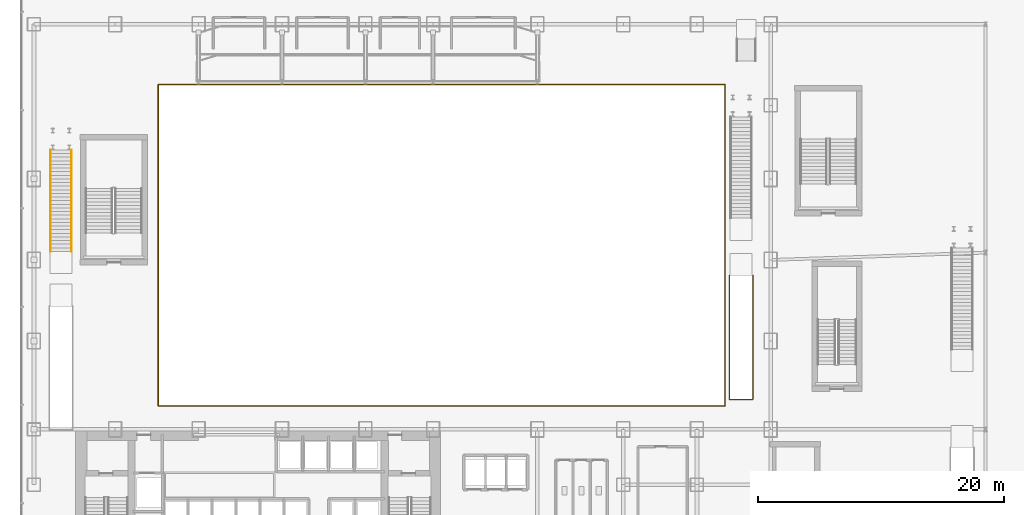
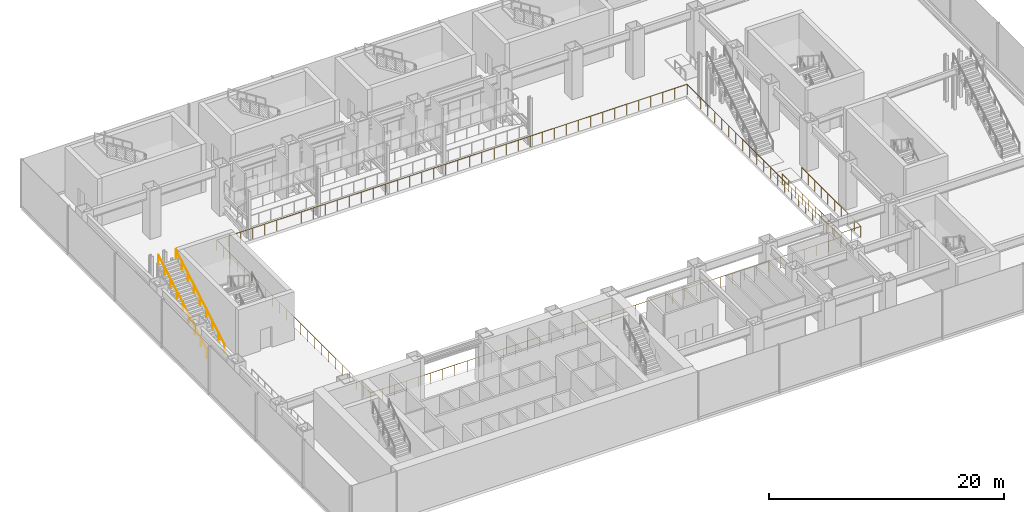
# One storey, part 35 of 40: 4 railings.
"""IFC4 building model written with IfcOpenShell, lengths in metres."""

import ifcopenshell
import ifcopenshell.guid

model = None  # the IFC model being written
_history = None  # IfcOwnerHistory: only IFC2X3 demands one
_inside = {}  # id of a spatial element -> (the spatial element, [elements in it])
_under = {}  # id of a project, library or spatial element -> (it, [spatial elements below it])
_declared = {}  # id of a project -> (the project, [libraries it declares])
_typed = {}  # id of a type object -> (the type object, [elements of that type])
_made_of = {}  # id of a material, layer set ... -> (it, [elements and type objects made of it])


def new_model(schema):
    """Start an empty IFC model of exactly this schema.

    Asked for "IFC4X3", IfcOpenShell would pick the latest addendum, in which some entities
    have other attributes; the version numbers below select the first issue.
    IFC2X3 requires an IfcOwnerHistory on every rooted entity: one is made here for all.
    """
    global model, _history
    if schema == "IFC4X3":
        model = ifcopenshell.file(schema_version=(4, 3, 0, 0))
    else:
        model = ifcopenshell.file(schema=schema)
    _inside.clear()
    _under.clear()
    _declared.clear()
    _typed.clear()
    _made_of.clear()
    _history = None
    if model.schema == "IFC2X3":
        org = make("IfcOrganization", Name="unknown")
        user = make(
            "IfcPersonAndOrganization",
            ThePerson=make("IfcPerson", FamilyName="unknown"),
            TheOrganization=org,
        )
        app = make(
            "IfcApplication",
            ApplicationDeveloper=org,
            Version="unknown",
            ApplicationFullName="unknown",
            ApplicationIdentifier="unknown",
        )
        _history = make(
            "IfcOwnerHistory",
            OwningUser=user,
            OwningApplication=app,
            ChangeAction="ADDED",
            CreationDate=0,
        )
    return model


def make(cls, **values):
    """One entity of the class cls with the attributes given. An attribute that is None is left unset."""
    return model.create_entity(
        cls, **{name: value for name, value in values.items() if value is not None}
    )


def rooted(cls, **values):
    """An entity with a GlobalId (a new one), such as an element, a storey or a relation."""
    return make(cls, GlobalId=ifcopenshell.guid.new(), OwnerHistory=_history, **values)


def si_unit(unit_type, name, prefix=None):
    """IfcSIUnit, for example si_unit("LENGTHUNIT", "METRE", prefix="MILLI")."""
    return make("IfcSIUnit", UnitType=unit_type, Prefix=prefix, Name=name)


def derived_unit(unit_type, elements):
    """IfcDerivedUnit: a product of units, each with its exponent."""
    return make(
        "IfcDerivedUnit",
        Elements=[
            make("IfcDerivedUnitElement", Unit=unit, Exponent=power)
            for unit, power in elements
        ],
        UnitType=unit_type,
    )


def assignment(units):
    """IfcUnitAssignment: the units of a project."""
    return None if units is None else make("IfcUnitAssignment", Units=units)


def point(xyz):
    """IfcCartesianPoint."""
    return None if xyz is None else make("IfcCartesianPoint", Coordinates=xyz)


def direction(xyz):
    """IfcDirection."""
    return None if xyz is None else make("IfcDirection", DirectionRatios=xyz)


def frame(location, z_axis=None, x_axis=None):
    """IfcAxis2Placement3D, a coordinate frame: its origin and axes. An axis left out is left unset."""
    return make(
        "IfcAxis2Placement3D",
        Location=point(location),
        Axis=direction(z_axis),
        RefDirection=direction(x_axis),
    )


def frame_2d(location, x_axis=None):
    """IfcAxis2Placement2D, a coordinate frame in the plane: its origin and x axis."""
    return make(
        "IfcAxis2Placement2D", Location=point(location), RefDirection=direction(x_axis)
    )


def origin():
    """The frame at (0, 0, 0) with its axes left unset."""
    return frame((0.0, 0.0, 0.0))


def origin_2d():
    """The frame at (0, 0) in the plane with its x axis left unset."""
    return frame_2d((0.0, 0.0))


def place(relative_to, where):
    """IfcLocalPlacement: puts the frame where relative to a parent placement (None: the world)."""
    return make(
        "IfcLocalPlacement", PlacementRelTo=relative_to, RelativePlacement=where
    )


def context(
    kind, dimensions, precision=None, world=None, true_north=None, identifier=None
):
    """IfcGeometricRepresentationContext, for example the 3D "Model" context."""
    return make(
        "IfcGeometricRepresentationContext",
        ContextIdentifier=identifier,
        ContextType=kind,
        CoordinateSpaceDimension=dimensions,
        Precision=precision,
        WorldCoordinateSystem=world,
        TrueNorth=true_north,
    )


def subcontext(parent, identifier, kind, view, scale=None):
    """IfcGeometricRepresentationSubContext, for example "Body" below "Model"."""
    return make(
        "IfcGeometricRepresentationSubContext",
        ContextIdentifier=identifier,
        ContextType=kind,
        ParentContext=parent,
        TargetScale=scale,
        TargetView=view,
    )


def project(units=None, contexts=None):
    """IfcProject with its units and contexts."""
    return rooted(
        "IfcProject",
        Name="project",
        RepresentationContexts=contexts,
        UnitsInContext=assignment(units),
    )


def spatial(cls, under=None, at=None, **own):
    """A site, building, storey or space (cls), placed at a placement, below another one or the project."""
    s = rooted(cls, ObjectPlacement=at, **own)
    if under is not None:
        _under.setdefault(under.id(), (under, []))[1].append(s)
    return s


def profile(cls, at=None, kind="AREA", **sizes):
    """A parametric profile (cls). Its sizes go by their IFC names, for example OverallWidth=200.0."""
    return make(cls, ProfileType=kind, Position=at, **sizes)


def circle(**sizes):
    """IfcCircleProfileDef."""
    return profile("IfcCircleProfileDef", **sizes)


def extrude(swept, where, along, depth):
    """IfcExtrudedAreaSolid: the profile swept, set in the frame where, extruded along a direction by depth."""
    return make(
        "IfcExtrudedAreaSolid",
        SweptArea=swept,
        Position=where,
        ExtrudedDirection=direction(along),
        Depth=depth,
    )


def shape(context_of_items, identifier, shape_type, items):
    """IfcShapeRepresentation: the items that make up one representation, for example the "Body"."""
    return make(
        "IfcShapeRepresentation",
        ContextOfItems=context_of_items,
        RepresentationIdentifier=identifier,
        RepresentationType=shape_type,
        Items=items,
    )


def material(Name=None, Category=None):
    """IfcMaterial."""
    return make("IfcMaterial", Name=Name, Category=Category)


def made_of(thing, what):
    """Note that an element or type object is made of a material, layer set ...; save() writes the relation."""
    if what is not None:
        _made_of.setdefault(what.id(), (what, []))[1].append(thing)
    return thing


def type_object(cls, material=None, **own):
    """A type object (cls), such as IfcWallType, which elements share."""
    return made_of(rooted(cls, **own), material)


def element(
    cls,
    number,
    at=None,
    inside=None,
    cuts=None,
    type_object=None,
    material=None,
    context=None,
    identifier="Body",
    shape_type=None,
    held_by="IfcProductDefinitionShape",
    body=None,
    shapes=None,
    **own,
):
    """One element of the class cls, such as IfcWall. Its Tag is "e" and its number.

    at: its placement. inside: the storey or other place that contains it. cuts: it is an
    opening in that element (IfcRelVoidsElement). A single representation is given by context,
    identifier, shape_type and body (its items); several are given by shapes. held_by: the class
    of the entity that holds the representations. save() writes the other relations.
    """
    e = rooted(cls, Tag="e%d" % number, ObjectPlacement=at, **own)
    if body is not None:
        shapes = [shape(context, identifier, shape_type, body)]
    if shapes is not None:
        e.Representation = make(held_by, Representations=shapes)
    if inside is not None:
        _inside.setdefault(inside.id(), (inside, []))[1].append(e)
    if cuts is not None:
        rooted(
            "IfcRelVoidsElement", RelatingBuildingElement=cuts, RelatedOpeningElement=e
        )
    if type_object is not None:
        _typed.setdefault(type_object.id(), (type_object, []))[1].append(e)
    return made_of(e, material)


def aggregate(whole, parts):
    """IfcRelAggregates: a whole, such as a stair, and the parts it consists of."""
    return rooted("IfcRelAggregates", RelatingObject=whole, RelatedObjects=parts)


def save(model, path):
    """Write the relations noted so far, then the file.

    IfcRelAggregates (storeys below a building ...), IfcRelContainedInSpatialStructure (elements
    in a storey), IfcRelDefinesByType, IfcRelAssociatesMaterial and IfcRelDeclares: one each for
    every whole, place, type object, material and project.
    """
    for whole, parts in _under.values():
        aggregate(whole, parts)
    for where, things in _inside.values():
        rooted(
            "IfcRelContainedInSpatialStructure",
            RelatedElements=things,
            RelatingStructure=where,
        )
    for kind, things in _typed.values():
        rooted("IfcRelDefinesByType", RelatedObjects=things, RelatingType=kind)
    for what, things in _made_of.values():
        rooted("IfcRelAssociatesMaterial", RelatedObjects=things, RelatingMaterial=what)
    for by, libraries in _declared.values():
        rooted("IfcRelDeclares", RelatingContext=by, RelatedDefinitions=libraries)
    model.write(path)


model = new_model("IFC4")

# Units and contexts
model_context = context("Model", 3, precision=1e-05, world=origin(), true_north=direction((0.0, 1.0)))
body_context = subcontext(model_context, "Body", "Model", "MODEL_VIEW")
ifc_project = project(units=[si_unit("LENGTHUNIT", "METRE"), si_unit("AREAUNIT", "SQUARE_METRE"), si_unit("VOLUMEUNIT", "CUBIC_METRE"), si_unit("PLANEANGLEUNIT", "RADIAN"), si_unit("MASSUNIT", "GRAM", prefix="KILO"), derived_unit("THERMALTRANSMITTANCEUNIT", [(si_unit("POWERUNIT", "WATT"), 1), (si_unit("LENGTHUNIT", "METRE"), -2), (si_unit("THERMODYNAMICTEMPERATUREUNIT", "KELVIN"), -1)])], contexts=[model_context])

# Site, building, storey
site_placement = place(None, origin())
site = spatial("IfcSite", under=ifc_project, at=site_placement, CompositionType="ELEMENT")
building_placement = place(site_placement, origin())
building = spatial("IfcBuilding", under=site, at=building_placement, Name="Skarnbrae Concourse Arena and Tower", CompositionType="ELEMENT")
storey_placement = place(building_placement, frame((0.0, 0.0, 6.0)))
storey = spatial("IfcBuildingStorey", under=building, at=storey_placement, Name="L01", CompositionType="ELEMENT", Elevation=6.0)

# Railings
ifc_material = material(Name="Steel CSA G40.21 350W", Category="steel")
railing_type_1 = type_object("IfcRailingType", Name="RAIL-GUARD-1150", PredefinedType="GUARDRAIL", material=ifc_material)
railing_1_placement = place(storey_placement, frame((11.1201171875, 15.919921875, 0.0)))
element("IfcRailing", 1, at=railing_1_placement, inside=storey, type_object=railing_type_1, Name="L01 Arena bowl concourse overlook guardrail", PredefinedType="GUARDRAIL", context=body_context, shape_type="SweptSolid", body=[
    extrude(circle(Radius=0.02392578125, at=origin_2d()), frame((0.0, 0.0, 1.1259765625), z_axis=(1.0, 0.0, 0.0), x_axis=(0.0, 1.0, 0.0)), (0.0, 0.0, 1.0), 46.159912109375),
    extrude(circle(Radius=0.02392578125, at=origin_2d()), frame((46.159912109375, 0.0, 1.1259765625), z_axis=(0.0, 1.0, 0.0), x_axis=(-1.0, 0.0, 0.0)), (0.0, 0.0, 1.0), 26.16015625),
    extrude(circle(Radius=0.02392578125, at=origin_2d()), frame((46.159912109375, 26.16015625, 1.1259765625), z_axis=(-1.0, 0.0, 0.0), x_axis=(0.0, -1.0, 0.0)), (0.0, 0.0, 1.0), 46.159912109375),
    extrude(circle(Radius=0.02392578125, at=origin_2d()), frame((0.0, 26.16015625, 1.1259765625), z_axis=(0.0, -1.0, 0.0), x_axis=(1.0, 0.0, 0.0)), (0.0, 0.0, 1.0), 26.16015625),
    extrude(circle(Radius=0.02099609375, at=origin_2d()), origin(), (0.0, 0.0, 1.0), 1.101806640625),
    extrude(circle(Radius=0.02099609375, at=origin_2d()), frame((1.18359375, 0.0, 0.0)), (0.0, 0.0, 1.0), 1.101806640625),
    extrude(circle(Radius=0.02099609375, at=origin_2d()), frame((2.3671875, 0.0, 0.0)), (0.0, 0.0, 1.0), 1.101806640625),
    extrude(circle(Radius=0.02099609375, at=origin_2d()), frame((3.55078125, 0.0, 0.0)), (0.0, 0.0, 1.0), 1.101806640625),
    extrude(circle(Radius=0.02099609375, at=origin_2d()), frame((4.734375, 0.0, 0.0)), (0.0, 0.0, 1.0), 1.101806640625),
    extrude(circle(Radius=0.02099609375, at=origin_2d()), frame((5.91796875, 0.0, 0.0)), (0.0, 0.0, 1.0), 1.101806640625),
    extrude(circle(Radius=0.02099609375, at=origin_2d()), frame((7.1015625, 0.0, 0.0)), (0.0, 0.0, 1.0), 1.101806640625),
    extrude(circle(Radius=0.02099609375, at=origin_2d()), frame((8.28515625, 0.0, 0.0)), (0.0, 0.0, 1.0), 1.101806640625),
    extrude(circle(Radius=0.02099609375, at=origin_2d()), frame((9.46875, 0.0, 0.0)), (0.0, 0.0, 1.0), 1.101806640625),
    extrude(circle(Radius=0.02099609375, at=origin_2d()), frame((10.65234375, 0.0, 0.0)), (0.0, 0.0, 1.0), 1.101806640625),
    extrude(circle(Radius=0.02099609375, at=origin_2d()), frame((11.8359375, 0.0, 0.0)), (0.0, 0.0, 1.0), 1.101806640625),
    extrude(circle(Radius=0.02099609375, at=origin_2d()), frame((13.01953125, 0.0, 0.0)), (0.0, 0.0, 1.0), 1.101806640625),
    extrude(circle(Radius=0.02099609375, at=origin_2d()), frame((14.203125, 0.0, 0.0)), (0.0, 0.0, 1.0), 1.101806640625),
    extrude(circle(Radius=0.02099609375, at=origin_2d()), frame((15.38671875, 0.0, 0.0)), (0.0, 0.0, 1.0), 1.101806640625),
    extrude(circle(Radius=0.02099609375, at=origin_2d()), frame((16.5703125, 0.0, 0.0)), (0.0, 0.0, 1.0), 1.101806640625),
    extrude(circle(Radius=0.02099609375, at=origin_2d()), frame((17.75390625, 0.0, 0.0)), (0.0, 0.0, 1.0), 1.101806640625),
    extrude(circle(Radius=0.02099609375, at=origin_2d()), frame((18.9375, 0.0, 0.0)), (0.0, 0.0, 1.0), 1.101806640625),
    extrude(circle(Radius=0.02099609375, at=origin_2d()), frame((20.12109375, 0.0, 0.0)), (0.0, 0.0, 1.0), 1.101806640625),
    extrude(circle(Radius=0.02099609375, at=origin_2d()), frame((21.3046875, 0.0, 0.0)), (0.0, 0.0, 1.0), 1.101806640625),
    extrude(circle(Radius=0.02099609375, at=origin_2d()), frame((22.48828125, 0.0, 0.0)), (0.0, 0.0, 1.0), 1.101806640625),
    extrude(circle(Radius=0.02099609375, at=origin_2d()), frame((23.671630859375, 0.0, 0.0)), (0.0, 0.0, 1.0), 1.101806640625),
    extrude(circle(Radius=0.02099609375, at=origin_2d()), frame((24.855224609375, 0.0, 0.0)), (0.0, 0.0, 1.0), 1.101806640625),
    extrude(circle(Radius=0.02099609375, at=origin_2d()), frame((26.038818359375, 0.0, 0.0)), (0.0, 0.0, 1.0), 1.101806640625),
    extrude(circle(Radius=0.02099609375, at=origin_2d()), frame((27.222412109375, 0.0, 0.0)), (0.0, 0.0, 1.0), 1.101806640625),
    extrude(circle(Radius=0.02099609375, at=origin_2d()), frame((28.406005859375, 0.0, 0.0)), (0.0, 0.0, 1.0), 1.101806640625),
    extrude(circle(Radius=0.02099609375, at=origin_2d()), frame((29.589599609375, 0.0, 0.0)), (0.0, 0.0, 1.0), 1.101806640625),
    extrude(circle(Radius=0.02099609375, at=origin_2d()), frame((30.773193359375, 0.0, 0.0)), (0.0, 0.0, 1.0), 1.101806640625),
    extrude(circle(Radius=0.02099609375, at=origin_2d()), frame((31.956787109375, 0.0, 0.0)), (0.0, 0.0, 1.0), 1.101806640625),
    extrude(circle(Radius=0.02099609375, at=origin_2d()), frame((33.140380859375, 0.0, 0.0)), (0.0, 0.0, 1.0), 1.101806640625),
    extrude(circle(Radius=0.02099609375, at=origin_2d()), frame((34.323974609375, 0.0, 0.0)), (0.0, 0.0, 1.0), 1.101806640625),
    extrude(circle(Radius=0.02099609375, at=origin_2d()), frame((35.507568359375, 0.0, 0.0)), (0.0, 0.0, 1.0), 1.101806640625),
    extrude(circle(Radius=0.02099609375, at=origin_2d()), frame((36.691162109375, 0.0, 0.0)), (0.0, 0.0, 1.0), 1.101806640625),
    extrude(circle(Radius=0.02099609375, at=origin_2d()), frame((37.874755859375, 0.0, 0.0)), (0.0, 0.0, 1.0), 1.101806640625),
    extrude(circle(Radius=0.02099609375, at=origin_2d()), frame((39.058349609375, 0.0, 0.0)), (0.0, 0.0, 1.0), 1.101806640625),
    extrude(circle(Radius=0.02099609375, at=origin_2d()), frame((40.241943359375, 0.0, 0.0)), (0.0, 0.0, 1.0), 1.101806640625),
    extrude(circle(Radius=0.02099609375, at=origin_2d()), frame((41.425537109375, 0.0, 0.0)), (0.0, 0.0, 1.0), 1.101806640625),
    extrude(circle(Radius=0.02099609375, at=origin_2d()), frame((42.609130859375, 0.0, 0.0)), (0.0, 0.0, 1.0), 1.101806640625),
    extrude(circle(Radius=0.02099609375, at=origin_2d()), frame((43.792724609375, 0.0, 0.0)), (0.0, 0.0, 1.0), 1.101806640625),
    extrude(circle(Radius=0.02099609375, at=origin_2d()), frame((44.976318359375, 0.0, 0.0)), (0.0, 0.0, 1.0), 1.101806640625),
    extrude(circle(Radius=0.02099609375, at=origin_2d()), frame((46.159912109375, 0.0, 0.0)), (0.0, 0.0, 1.0), 1.101806640625),
    extrude(circle(Radius=0.02099609375, at=origin_2d()), frame((46.159912109375, 1.189208984375, 0.0)), (0.0, 0.0, 1.0), 1.101806640625),
    extrude(circle(Radius=0.02099609375, at=origin_2d()), frame((46.159912109375, 2.378173828125, 0.0)), (0.0, 0.0, 1.0), 1.101806640625),
    extrude(circle(Radius=0.02099609375, at=origin_2d()), frame((46.159912109375, 3.5673828125, 0.0)), (0.0, 0.0, 1.0), 1.101806640625),
    extrude(circle(Radius=0.02099609375, at=origin_2d()), frame((46.159912109375, 4.75634765625, 0.0)), (0.0, 0.0, 1.0), 1.101806640625),
    extrude(circle(Radius=0.02099609375, at=origin_2d()), frame((46.159912109375, 5.945556640625, 0.0)), (0.0, 0.0, 1.0), 1.101806640625),
    extrude(circle(Radius=0.02099609375, at=origin_2d()), frame((46.159912109375, 7.134521484375, 0.0)), (0.0, 0.0, 1.0), 1.101806640625),
    extrude(circle(Radius=0.02099609375, at=origin_2d()), frame((46.159912109375, 8.32373046875, 0.0)), (0.0, 0.0, 1.0), 1.101806640625),
    extrude(circle(Radius=0.02099609375, at=origin_2d()), frame((46.159912109375, 9.5126953125, 0.0)), (0.0, 0.0, 1.0), 1.101806640625),
    extrude(circle(Radius=0.02099609375, at=origin_2d()), frame((46.159912109375, 10.701904296875, 0.0)), (0.0, 0.0, 1.0), 1.101806640625),
    extrude(circle(Radius=0.02099609375, at=origin_2d()), frame((46.159912109375, 11.890869140625, 0.0)), (0.0, 0.0, 1.0), 1.101806640625),
    extrude(circle(Radius=0.02099609375, at=origin_2d()), frame((46.159912109375, 13.080078125, 0.0)), (0.0, 0.0, 1.0), 1.101806640625),
    extrude(circle(Radius=0.02099609375, at=origin_2d()), frame((46.159912109375, 14.269287109375, 0.0)), (0.0, 0.0, 1.0), 1.101806640625),
    extrude(circle(Radius=0.02099609375, at=origin_2d()), frame((46.159912109375, 15.458251953125, 0.0)), (0.0, 0.0, 1.0), 1.101806640625),
    extrude(circle(Radius=0.02099609375, at=origin_2d()), frame((46.159912109375, 16.6474609375, 0.0)), (0.0, 0.0, 1.0), 1.101806640625),
    extrude(circle(Radius=0.02099609375, at=origin_2d()), frame((46.159912109375, 17.83642578125, 0.0)), (0.0, 0.0, 1.0), 1.101806640625),
    extrude(circle(Radius=0.02099609375, at=origin_2d()), frame((46.159912109375, 19.025634765625, 0.0)), (0.0, 0.0, 1.0), 1.101806640625),
    extrude(circle(Radius=0.02099609375, at=origin_2d()), frame((46.159912109375, 20.214599609375, 0.0)), (0.0, 0.0, 1.0), 1.101806640625),
    extrude(circle(Radius=0.02099609375, at=origin_2d()), frame((46.159912109375, 21.40380859375, 0.0)), (0.0, 0.0, 1.0), 1.101806640625),
    extrude(circle(Radius=0.02099609375, at=origin_2d()), frame((46.159912109375, 22.5927734375, 0.0)), (0.0, 0.0, 1.0), 1.101806640625),
    extrude(circle(Radius=0.02099609375, at=origin_2d()), frame((46.159912109375, 23.781982421875, 0.0)), (0.0, 0.0, 1.0), 1.101806640625),
    extrude(circle(Radius=0.02099609375, at=origin_2d()), frame((46.159912109375, 24.970947265625, 0.0)), (0.0, 0.0, 1.0), 1.101806640625),
    extrude(circle(Radius=0.02099609375, at=origin_2d()), frame((46.159912109375, 26.16015625, 0.0)), (0.0, 0.0, 1.0), 1.101806640625),
    extrude(circle(Radius=0.02099609375, at=origin_2d()), frame((44.976318359375, 26.16015625, 0.0)), (0.0, 0.0, 1.0), 1.101806640625),
    extrude(circle(Radius=0.02099609375, at=origin_2d()), frame((43.792724609375, 26.16015625, 0.0)), (0.0, 0.0, 1.0), 1.101806640625),
    extrude(circle(Radius=0.02099609375, at=origin_2d()), frame((42.609130859375, 26.16015625, 0.0)), (0.0, 0.0, 1.0), 1.101806640625),
    extrude(circle(Radius=0.02099609375, at=origin_2d()), frame((41.425537109375, 26.16015625, 0.0)), (0.0, 0.0, 1.0), 1.101806640625),
    extrude(circle(Radius=0.02099609375, at=origin_2d()), frame((40.241943359375, 26.16015625, 0.0)), (0.0, 0.0, 1.0), 1.101806640625),
    extrude(circle(Radius=0.02099609375, at=origin_2d()), frame((39.058349609375, 26.16015625, 0.0)), (0.0, 0.0, 1.0), 1.101806640625),
    extrude(circle(Radius=0.02099609375, at=origin_2d()), frame((37.874755859375, 26.16015625, 0.0)), (0.0, 0.0, 1.0), 1.101806640625),
    extrude(circle(Radius=0.02099609375, at=origin_2d()), frame((36.691162109375, 26.16015625, 0.0)), (0.0, 0.0, 1.0), 1.101806640625),
    extrude(circle(Radius=0.02099609375, at=origin_2d()), frame((35.507568359375, 26.16015625, 0.0)), (0.0, 0.0, 1.0), 1.101806640625),
    extrude(circle(Radius=0.02099609375, at=origin_2d()), frame((34.323974609375, 26.16015625, 0.0)), (0.0, 0.0, 1.0), 1.101806640625),
    extrude(circle(Radius=0.02099609375, at=origin_2d()), frame((33.140380859375, 26.16015625, 0.0)), (0.0, 0.0, 1.0), 1.101806640625),
    extrude(circle(Radius=0.02099609375, at=origin_2d()), frame((31.956787109375, 26.16015625, 0.0)), (0.0, 0.0, 1.0), 1.101806640625),
    extrude(circle(Radius=0.02099609375, at=origin_2d()), frame((30.773193359375, 26.16015625, 0.0)), (0.0, 0.0, 1.0), 1.101806640625),
    extrude(circle(Radius=0.02099609375, at=origin_2d()), frame((29.589599609375, 26.16015625, 0.0)), (0.0, 0.0, 1.0), 1.101806640625),
    extrude(circle(Radius=0.02099609375, at=origin_2d()), frame((28.406005859375, 26.16015625, 0.0)), (0.0, 0.0, 1.0), 1.101806640625),
    extrude(circle(Radius=0.02099609375, at=origin_2d()), frame((27.222412109375, 26.16015625, 0.0)), (0.0, 0.0, 1.0), 1.101806640625),
    extrude(circle(Radius=0.02099609375, at=origin_2d()), frame((26.038818359375, 26.16015625, 0.0)), (0.0, 0.0, 1.0), 1.101806640625),
    extrude(circle(Radius=0.02099609375, at=origin_2d()), frame((24.855224609375, 26.16015625, 0.0)), (0.0, 0.0, 1.0), 1.101806640625),
    extrude(circle(Radius=0.02099609375, at=origin_2d()), frame((23.671630859375, 26.16015625, 0.0)), (0.0, 0.0, 1.0), 1.101806640625),
    extrude(circle(Radius=0.02099609375, at=origin_2d()), frame((22.48828125, 26.16015625, 0.0)), (0.0, 0.0, 1.0), 1.101806640625),
    extrude(circle(Radius=0.02099609375, at=origin_2d()), frame((21.3046875, 26.16015625, 0.0)), (0.0, 0.0, 1.0), 1.101806640625),
    extrude(circle(Radius=0.02099609375, at=origin_2d()), frame((20.12109375, 26.16015625, 0.0)), (0.0, 0.0, 1.0), 1.101806640625),
    extrude(circle(Radius=0.02099609375, at=origin_2d()), frame((18.9375, 26.16015625, 0.0)), (0.0, 0.0, 1.0), 1.101806640625),
    extrude(circle(Radius=0.02099609375, at=origin_2d()), frame((17.75390625, 26.16015625, 0.0)), (0.0, 0.0, 1.0), 1.101806640625),
    extrude(circle(Radius=0.02099609375, at=origin_2d()), frame((16.5703125, 26.16015625, 0.0)), (0.0, 0.0, 1.0), 1.101806640625),
    extrude(circle(Radius=0.02099609375, at=origin_2d()), frame((15.38671875, 26.16015625, 0.0)), (0.0, 0.0, 1.0), 1.101806640625),
    extrude(circle(Radius=0.02099609375, at=origin_2d()), frame((14.203125, 26.16015625, 0.0)), (0.0, 0.0, 1.0), 1.101806640625),
    extrude(circle(Radius=0.02099609375, at=origin_2d()), frame((13.01953125, 26.16015625, 0.0)), (0.0, 0.0, 1.0), 1.101806640625),
    extrude(circle(Radius=0.02099609375, at=origin_2d()), frame((11.8359375, 26.16015625, 0.0)), (0.0, 0.0, 1.0), 1.101806640625),
    extrude(circle(Radius=0.02099609375, at=origin_2d()), frame((10.65234375, 26.16015625, 0.0)), (0.0, 0.0, 1.0), 1.101806640625),
    extrude(circle(Radius=0.02099609375, at=origin_2d()), frame((9.46875, 26.16015625, 0.0)), (0.0, 0.0, 1.0), 1.101806640625),
    extrude(circle(Radius=0.02099609375, at=origin_2d()), frame((8.28515625, 26.16015625, 0.0)), (0.0, 0.0, 1.0), 1.101806640625),
    extrude(circle(Radius=0.02099609375, at=origin_2d()), frame((7.1015625, 26.16015625, 0.0)), (0.0, 0.0, 1.0), 1.101806640625),
    extrude(circle(Radius=0.02099609375, at=origin_2d()), frame((5.91796875, 26.16015625, 0.0)), (0.0, 0.0, 1.0), 1.101806640625),
    extrude(circle(Radius=0.02099609375, at=origin_2d()), frame((4.734375, 26.16015625, 0.0)), (0.0, 0.0, 1.0), 1.101806640625),
    extrude(circle(Radius=0.02099609375, at=origin_2d()), frame((3.55078125, 26.16015625, 0.0)), (0.0, 0.0, 1.0), 1.101806640625),
    extrude(circle(Radius=0.02099609375, at=origin_2d()), frame((2.3671875, 26.16015625, 0.0)), (0.0, 0.0, 1.0), 1.101806640625),
    extrude(circle(Radius=0.02099609375, at=origin_2d()), frame((1.18359375, 26.16015625, 0.0)), (0.0, 0.0, 1.0), 1.101806640625),
    extrude(circle(Radius=0.02099609375, at=origin_2d()), frame((0.0, 26.16015625, 0.0)), (0.0, 0.0, 1.0), 1.101806640625),
    extrude(circle(Radius=0.02099609375, at=origin_2d()), frame((0.0, 24.970947265625, 0.0)), (0.0, 0.0, 1.0), 1.101806640625),
    extrude(circle(Radius=0.02099609375, at=origin_2d()), frame((0.0, 23.781982421875, 0.0)), (0.0, 0.0, 1.0), 1.101806640625),
    extrude(circle(Radius=0.02099609375, at=origin_2d()), frame((0.0, 22.5927734375, 0.0)), (0.0, 0.0, 1.0), 1.101806640625),
    extrude(circle(Radius=0.02099609375, at=origin_2d()), frame((0.0, 21.40380859375, 0.0)), (0.0, 0.0, 1.0), 1.101806640625),
    extrude(circle(Radius=0.02099609375, at=origin_2d()), frame((0.0, 20.214599609375, 0.0)), (0.0, 0.0, 1.0), 1.101806640625),
    extrude(circle(Radius=0.02099609375, at=origin_2d()), frame((0.0, 19.025634765625, 0.0)), (0.0, 0.0, 1.0), 1.101806640625),
    extrude(circle(Radius=0.02099609375, at=origin_2d()), frame((0.0, 17.83642578125, 0.0)), (0.0, 0.0, 1.0), 1.101806640625),
    extrude(circle(Radius=0.02099609375, at=origin_2d()), frame((0.0, 16.6474609375, 0.0)), (0.0, 0.0, 1.0), 1.101806640625),
    extrude(circle(Radius=0.02099609375, at=origin_2d()), frame((0.0, 15.458251953125, 0.0)), (0.0, 0.0, 1.0), 1.101806640625),
    extrude(circle(Radius=0.02099609375, at=origin_2d()), frame((0.0, 14.269287109375, 0.0)), (0.0, 0.0, 1.0), 1.101806640625),
    extrude(circle(Radius=0.02099609375, at=origin_2d()), frame((0.0, 13.080078125, 0.0)), (0.0, 0.0, 1.0), 1.101806640625),
    extrude(circle(Radius=0.02099609375, at=origin_2d()), frame((0.0, 11.890869140625, 0.0)), (0.0, 0.0, 1.0), 1.101806640625),
    extrude(circle(Radius=0.02099609375, at=origin_2d()), frame((0.0, 10.701904296875, 0.0)), (0.0, 0.0, 1.0), 1.101806640625),
    extrude(circle(Radius=0.02099609375, at=origin_2d()), frame((0.0, 9.5126953125, 0.0)), (0.0, 0.0, 1.0), 1.101806640625),
    extrude(circle(Radius=0.02099609375, at=origin_2d()), frame((0.0, 8.32373046875, 0.0)), (0.0, 0.0, 1.0), 1.101806640625),
    extrude(circle(Radius=0.02099609375, at=origin_2d()), frame((0.0, 7.134521484375, 0.0)), (0.0, 0.0, 1.0), 1.101806640625),
    extrude(circle(Radius=0.02099609375, at=origin_2d()), frame((0.0, 5.945556640625, 0.0)), (0.0, 0.0, 1.0), 1.101806640625),
    extrude(circle(Radius=0.02099609375, at=origin_2d()), frame((0.0, 4.75634765625, 0.0)), (0.0, 0.0, 1.0), 1.101806640625),
    extrude(circle(Radius=0.02099609375, at=origin_2d()), frame((0.0, 3.5673828125, 0.0)), (0.0, 0.0, 1.0), 1.101806640625),
    extrude(circle(Radius=0.02099609375, at=origin_2d()), frame((0.0, 2.378173828125, 0.0)), (0.0, 0.0, 1.0), 1.101806640625),
    extrude(circle(Radius=0.02099609375, at=origin_2d()), frame((0.0, 1.189208984375, 0.0)), (0.0, 0.0, 1.0), 1.101806640625),
])
railing_type_2 = type_object("IfcRailingType", Name="RAIL-HANDRAIL-900", PredefinedType="HANDRAIL", material=ifc_material)
for number, where, name in (
    (2, (2.35009765625, 28.5, 0.17236328125), "ST-CONC-2 Handrail W L01"),
    (3, (4.050048828125, 28.5, 0.17236328125), "ST-CONC-2 Handrail E L01"),
):
    element("IfcRailing", number, at=place(storey_placement, frame(where)), inside=storey, type_object=railing_type_2, Name=name, PredefinedType="HANDRAIL", context=body_context, shape_type="SweptSolid", body=[
        extrude(circle(Radius=0.02392578125, at=origin_2d()), frame((0.0, 0.0, 0.8759765625), z_axis=(0.0, 0.863355629896, 0.50459593372), x_axis=(-1.0, 0.0, 0.0)), (0.0, 0.0, 1.0), 9.5673828125),
        extrude(circle(Radius=0.02099609375, at=origin_2d()), origin(), (0.0, 0.0, 1.0), 0.851806640625),
        extrude(circle(Radius=0.02099609375, at=origin_2d()), frame((0.0, 1.032470703125, 0.603515625)), (0.0, 0.0, 1.0), 0.851806640625),
        extrude(circle(Radius=0.02099609375, at=origin_2d()), frame((0.0, 2.06494140625, 1.20703125)), (0.0, 0.0, 1.0), 0.851806640625),
        extrude(circle(Radius=0.02099609375, at=origin_2d()), frame((0.0, 3.097412109375, 1.810302734375)), (0.0, 0.0, 1.0), 0.851806640625),
        extrude(circle(Radius=0.02099609375, at=origin_2d()), frame((0.0, 4.1298828125, 2.413818359375)), (0.0, 0.0, 1.0), 0.851806640625),
        extrude(circle(Radius=0.02099609375, at=origin_2d()), frame((0.0, 5.16259765625, 3.017333984375)), (0.0, 0.0, 1.0), 0.851806640625),
        extrude(circle(Radius=0.02099609375, at=origin_2d()), frame((0.0, 6.195068359375, 3.62060546875)), (0.0, 0.0, 1.0), 0.851806640625),
        extrude(circle(Radius=0.02099609375, at=origin_2d()), frame((0.0, 7.2275390625, 4.22412109375)), (0.0, 0.0, 1.0), 0.851806640625),
        extrude(circle(Radius=0.02099609375, at=origin_2d()), frame((0.0, 8.260009765625, 4.82763671875)), (0.0, 0.0, 1.0), 0.851806640625),
    ])
railing_type_3 = type_object("IfcRailingType", Name="RAIL-STAIR-GUARD-1150", PredefinedType="GUARDRAIL", material=ifc_material)
railing_2_placement = place(storey_placement, frame((59.550048828125, 26.530029296875, 0.0)))
element("IfcRailing", 4, at=railing_2_placement, inside=storey, type_object=railing_type_3, Name="ST-CONC-3 Upper well guardrail L01", PredefinedType="GUARDRAIL", context=body_context, shape_type="SweptSolid", body=[
    extrude(circle(Radius=0.02392578125, at=origin_2d()), frame((0.0, 0.0, 1.1259765625), z_axis=(0.0, -1.0, 0.0), x_axis=(1.0, 0.0, 0.0)), (0.0, 0.0, 1.0), 10.080078125),
    extrude(circle(Radius=0.02392578125, at=origin_2d()), frame((0.0, -10.080078125, 1.1259765625), z_axis=(-1.0, 0.0, 0.0), x_axis=(0.0, -1.0, 0.0)), (0.0, 0.0, 1.0), 1.900146484375),
    extrude(circle(Radius=0.02392578125, at=origin_2d()), frame((-1.900146484375, -10.080078125, 1.1259765625), z_axis=(0.0, 1.0, 0.0), x_axis=(-1.0, 0.0, 0.0)), (0.0, 0.0, 1.0), 10.080078125),
    extrude(circle(Radius=0.02099609375, at=origin_2d()), origin(), (0.0, 0.0, 1.0), 1.101806640625),
    extrude(circle(Radius=0.02099609375, at=origin_2d()), frame((0.0, -1.1201171875, 0.0)), (0.0, 0.0, 1.0), 1.101806640625),
    extrude(circle(Radius=0.02099609375, at=origin_2d()), frame((0.0, -2.239990234375, 0.0)), (0.0, 0.0, 1.0), 1.101806640625),
    extrude(circle(Radius=0.02099609375, at=origin_2d()), frame((0.0, -3.360107421875, 0.0)), (0.0, 0.0, 1.0), 1.101806640625),
    extrude(circle(Radius=0.02099609375, at=origin_2d()), frame((0.0, -4.47998046875, 0.0)), (0.0, 0.0, 1.0), 1.101806640625),
    extrude(circle(Radius=0.02099609375, at=origin_2d()), frame((0.0, -5.60009765625, 0.0)), (0.0, 0.0, 1.0), 1.101806640625),
    extrude(circle(Radius=0.02099609375, at=origin_2d()), frame((0.0, -6.719970703125, 0.0)), (0.0, 0.0, 1.0), 1.101806640625),
    extrude(circle(Radius=0.02099609375, at=origin_2d()), frame((0.0, -7.840087890625, 0.0)), (0.0, 0.0, 1.0), 1.101806640625),
    extrude(circle(Radius=0.02099609375, at=origin_2d()), frame((0.0, -8.9599609375, 0.0)), (0.0, 0.0, 1.0), 1.101806640625),
    extrude(circle(Radius=0.02099609375, at=origin_2d()), frame((0.0, -10.080078125, 0.0)), (0.0, 0.0, 1.0), 1.101806640625),
    extrude(circle(Radius=0.02099609375, at=origin_2d()), frame((-0.9501953125, -10.080078125, 0.0)), (0.0, 0.0, 1.0), 1.101806640625),
    extrude(circle(Radius=0.02099609375, at=origin_2d()), frame((-1.900146484375, -10.080078125, 0.0)), (0.0, 0.0, 1.0), 1.101806640625),
    extrude(circle(Radius=0.02099609375, at=origin_2d()), frame((-1.900146484375, -8.9599609375, 0.0)), (0.0, 0.0, 1.0), 1.101806640625),
    extrude(circle(Radius=0.02099609375, at=origin_2d()), frame((-1.900146484375, -7.840087890625, 0.0)), (0.0, 0.0, 1.0), 1.101806640625),
    extrude(circle(Radius=0.02099609375, at=origin_2d()), frame((-1.900146484375, -6.719970703125, 0.0)), (0.0, 0.0, 1.0), 1.101806640625),
    extrude(circle(Radius=0.02099609375, at=origin_2d()), frame((-1.900146484375, -5.60009765625, 0.0)), (0.0, 0.0, 1.0), 1.101806640625),
    extrude(circle(Radius=0.02099609375, at=origin_2d()), frame((-1.900146484375, -4.47998046875, 0.0)), (0.0, 0.0, 1.0), 1.101806640625),
    extrude(circle(Radius=0.02099609375, at=origin_2d()), frame((-1.900146484375, -3.360107421875, 0.0)), (0.0, 0.0, 1.0), 1.101806640625),
    extrude(circle(Radius=0.02099609375, at=origin_2d()), frame((-1.900146484375, -2.239990234375, 0.0)), (0.0, 0.0, 1.0), 1.101806640625),
    extrude(circle(Radius=0.02099609375, at=origin_2d()), frame((-1.900146484375, -1.1201171875, 0.0)), (0.0, 0.0, 1.0), 1.101806640625),
    extrude(circle(Radius=0.02099609375, at=origin_2d()), frame((-1.900146484375, 0.0, 0.0)), (0.0, 0.0, 1.0), 1.101806640625),
])

save(model, "model.ifc")
